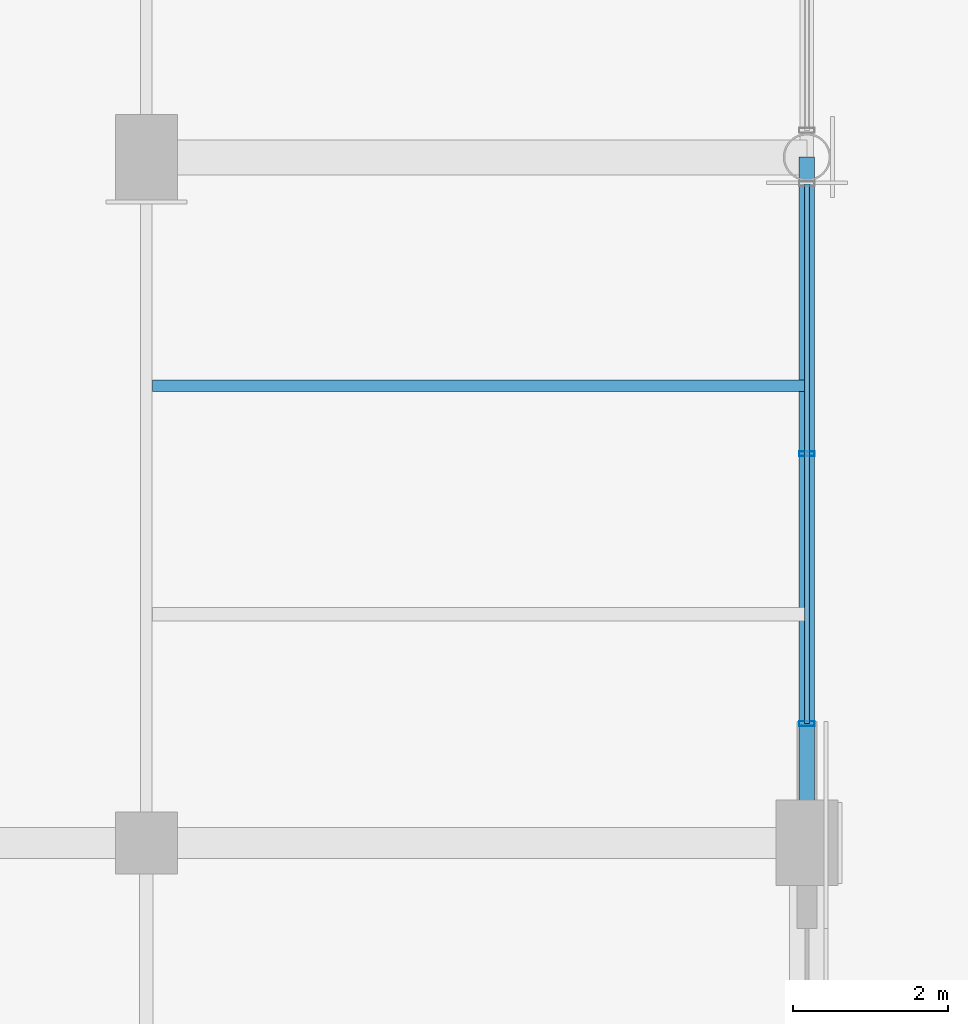
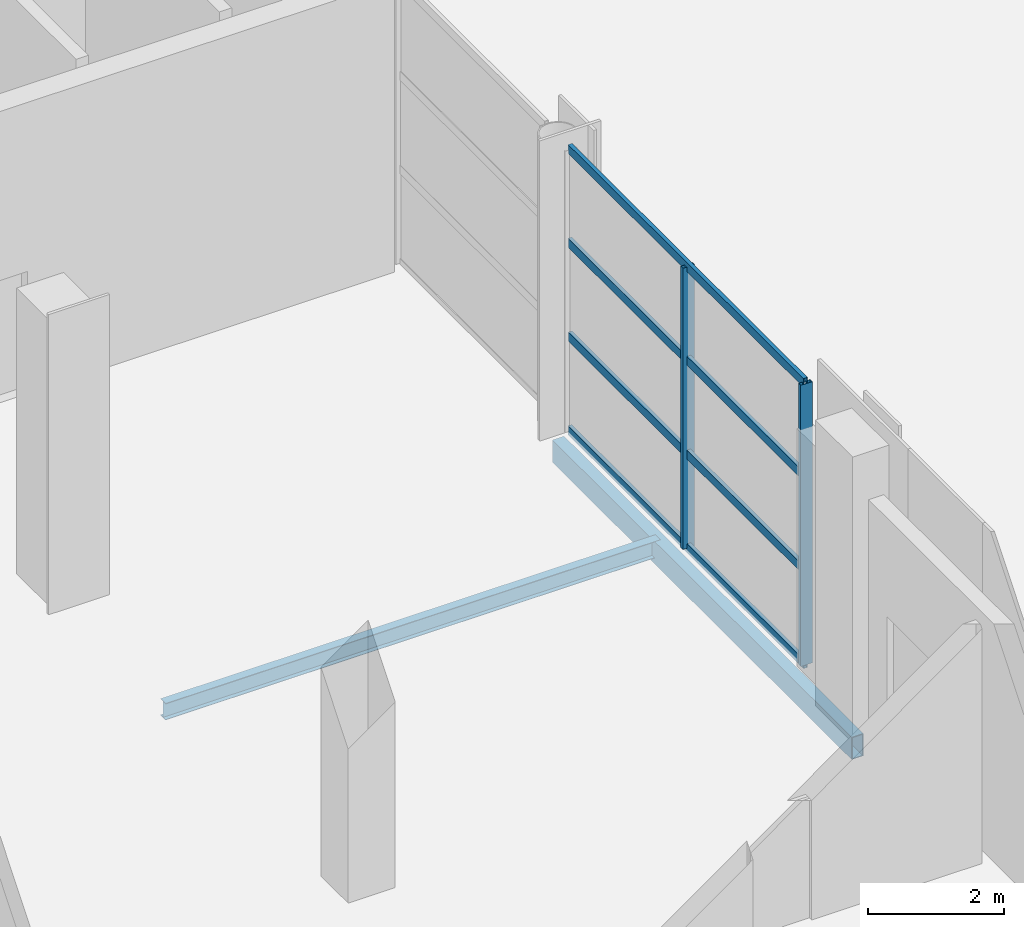
# One storey, part 16 of 90: 6 members, 2 beams, 1 element without a shape of its own.
"""IFC4 building model written with IfcOpenShell, lengths in metres."""

from ifc_helpers import new_model, si_unit, direction, frame, origin, origin_2d, place, context, subcontext, project, spatial, hollow_rectangle, i_section, extrude, material, material_profile, profile_set, type_object, element, aggregate, save


model = new_model("IFC4")

# Units and contexts
model_context = context("Model", 3, precision=1e-05, world=origin(), true_north=direction((0.0, 1.0)))
body_context = subcontext(model_context, "Body", "Model", "MODEL_VIEW")
ifc_project = project(units=[si_unit("LENGTHUNIT", "METRE"), si_unit("AREAUNIT", "SQUARE_METRE"), si_unit("VOLUMEUNIT", "CUBIC_METRE"), si_unit("PLANEANGLEUNIT", "RADIAN"), si_unit("MASSUNIT", "GRAM", prefix="KILO")], contexts=[model_context])

# Site, building, storey
site_placement = place(None, origin())
site = spatial("IfcSite", under=ifc_project, at=site_placement, CompositionType="ELEMENT")
building_placement = place(site_placement, origin())
building = spatial("IfcBuilding", under=site, at=building_placement, Name="Solvikara Media Centre", CompositionType="ELEMENT")
storey_placement = place(building_placement, origin())
storey = spatial("IfcBuildingStorey", under=building, at=storey_placement, Name="L00", CompositionType="ELEMENT", Elevation=0.0)

# Beams
ifc_material_1 = material(Name="Steel S355JR", Category="steel")
ifc_material_profile_1 = material_profile(ifc_material_1, hollow_rectangle(XDim=0.199951171875, YDim=0.39990234375, WallThickness=0.011962890625, at=origin_2d()), Name="RHS 400x200x12")
ifc_profile_set_1 = profile_set([ifc_material_profile_1], Name="Steel S355JR")
beam_type_1 = type_object("IfcBeamType", Name="BM-33", PredefinedType="SPANDREL", material=ifc_profile_set_1)
beam_1_placement = place(storey_placement, frame((76.5, 10.5, -0.5419921875), z_axis=(0.0, 1.0, 0.0), x_axis=(-1.0, 0.0, 0.0)))
element("IfcBeam", 1, at=beam_1_placement, inside=storey, type_object=beam_type_1, Name="B-L00-Y0177", PredefinedType="SPANDREL", context=body_context, shape_type="SweptSolid", body=[
    extrude(hollow_rectangle(XDim=0.199951171875, YDim=0.39990234375, WallThickness=0.011962890625, at=origin_2d()), origin(), (0.0, 0.0, 1.0), 8.823974609375),
])
ifc_material_profile_2 = material_profile(ifc_material_1, i_section(OverallWidth=0.14892578125, OverallDepth=0.298095703125, WebThickness=0.005615234375, FlangeThickness=0.008056640625, at=origin_2d()), Name="WF 298x149x5.5x8")
ifc_profile_set_2 = profile_set([ifc_material_profile_2], Name="Steel S355JR")
beam_type_2 = type_object("IfcBeamType", Name="BM-39", PredefinedType="JOIST", material=ifc_profile_set_2)
beam_2_placement = place(storey_placement, frame((68.077880859375, 16.383056640625, -0.490966796875), z_axis=(1.0, 0.0, 0.0), x_axis=(0.0, 1.0, 0.0)))
element("IfcBeam", 2, at=beam_2_placement, inside=storey, type_object=beam_type_2, Name="J-L00-0359", PredefinedType="JOIST", context=body_context, shape_type="SweptSolid", body=[
    extrude(i_section(OverallWidth=0.14892578125, OverallDepth=0.298095703125, WebThickness=0.005615234375, FlangeThickness=0.008056640625, at=origin_2d()), origin(), (0.0, 0.0, 1.0), 8.422119140625),
])

# Curtain wall, members
ifc_material_2 = material(Name="Anodised aluminium EN AW-6063", Category="aluminium")
curtain_wall_type = type_object("IfcCurtainWallType", Name="CW-14", PredefinedType="NOTDEFINED", material=ifc_material_2)
curtain_wall_placement = place(storey_placement, origin())
curtain_wall = element("IfcCurtainWall", 3, at=curtain_wall_placement, inside=storey, type_object=curtain_wall_type, Name="CW-L00-V6-ENE-S1", PredefinedType="NOTDEFINED")
ifc_material_profile_3 = material_profile(ifc_material_2, hollow_rectangle(XDim=0.06494140625, YDim=0.199951171875, WallThickness=0.00390625, at=origin_2d()), Name="ALU-M 65x200x4")
ifc_profile_set_3 = profile_set([ifc_material_profile_3], Name="Anodised aluminium EN AW-6063")
member_type_1 = type_object("IfcMemberType", Name="MF-02", PredefinedType="MULLION", material=ifc_profile_set_3)
member_1_placement = place(storey_placement, frame((76.5, 12.034912109375, 0.02001953125), z_axis=(0.0, 0.0, 1.0), x_axis=(0.0, 1.0, 0.0)))
member_1 = element("IfcMember", 4, at=member_1_placement, type_object=member_type_1, Name="CW-L00-V6-ENE-S1-M00", PredefinedType="MULLION", context=body_context, shape_type="SweptSolid", body=[
    extrude(hollow_rectangle(XDim=0.06494140625, YDim=0.199951171875, WallThickness=0.00390625, at=origin_2d()), origin(), (0.0, 0.0, 1.0), 5.06005859375),
])
member_2_placement = place(storey_placement, frame((76.5, 15.507080078125, 0.02001953125), z_axis=(0.0, 0.0, 1.0), x_axis=(0.0, 1.0, 0.0)))
member_2 = element("IfcMember", 5, at=member_2_placement, type_object=member_type_1, Name="CW-L00-V6-ENE-S1-M01", PredefinedType="MULLION", context=body_context, shape_type="SweptSolid", body=[
    extrude(hollow_rectangle(XDim=0.06494140625, YDim=0.199951171875, WallThickness=0.00390625, at=origin_2d()), origin(), (0.0, 0.0, 1.0), 5.06005859375),
])
ifc_material_profile_4 = material_profile(ifc_material_2, hollow_rectangle(XDim=0.06494140625, YDim=0.159912109375, WallThickness=0.00341796875, at=origin_2d()), Name="ALU-T 65x160x3.5")
ifc_profile_set_4 = profile_set([ifc_material_profile_4], Name="Anodised aluminium EN AW-6063")
member_type_2 = type_object("IfcMemberType", Name="MF-08", PredefinedType="USERDEFINED", material=ifc_profile_set_4)
member_3_placement = place(storey_placement, frame((76.5, 12.034912109375, 0.02001953125), z_axis=(0.0, 1.0, 0.0), x_axis=(-1.0, 0.0, 0.0)))
member_3 = element("IfcMember", 6, at=member_3_placement, type_object=member_type_2, Name="CW-L00-V6-ENE-S1-T00", ObjectType="TRANSOM", PredefinedType="USERDEFINED", context=body_context, shape_type="SweptSolid", body=[
    extrude(hollow_rectangle(XDim=0.06494140625, YDim=0.159912109375, WallThickness=0.00341796875, at=origin_2d()), origin(), (0.0, 0.0, 1.0), 6.944091796875),
])
member_4_placement = place(storey_placement, frame((76.5, 12.034912109375, 1.70703125), z_axis=(0.0, 1.0, 0.0), x_axis=(-1.0, 0.0, 0.0)))
member_4 = element("IfcMember", 7, at=member_4_placement, type_object=member_type_2, Name="CW-L00-V6-ENE-S1-T01", ObjectType="TRANSOM", PredefinedType="USERDEFINED", context=body_context, shape_type="SweptSolid", body=[
    extrude(hollow_rectangle(XDim=0.06494140625, YDim=0.159912109375, WallThickness=0.00341796875, at=origin_2d()), origin(), (0.0, 0.0, 1.0), 6.944091796875),
])
member_5_placement = place(storey_placement, frame((76.5, 12.034912109375, 3.39306640625), z_axis=(0.0, 1.0, 0.0), x_axis=(-1.0, 0.0, 0.0)))
member_5 = element("IfcMember", 8, at=member_5_placement, type_object=member_type_2, Name="CW-L00-V6-ENE-S1-T02", ObjectType="TRANSOM", PredefinedType="USERDEFINED", context=body_context, shape_type="SweptSolid", body=[
    extrude(hollow_rectangle(XDim=0.06494140625, YDim=0.159912109375, WallThickness=0.00341796875, at=origin_2d()), origin(), (0.0, 0.0, 1.0), 6.944091796875),
])
member_6_placement = place(storey_placement, frame((76.5, 12.034912109375, 5.080078125), z_axis=(0.0, 1.0, 0.0), x_axis=(-1.0, 0.0, 0.0)))
member_6 = element("IfcMember", 9, at=member_6_placement, type_object=member_type_2, Name="CW-L00-V6-ENE-S1-T03", ObjectType="TRANSOM", PredefinedType="USERDEFINED", context=body_context, shape_type="SweptSolid", body=[
    extrude(hollow_rectangle(XDim=0.06494140625, YDim=0.159912109375, WallThickness=0.00341796875, at=origin_2d()), origin(), (0.0, 0.0, 1.0), 6.944091796875),
])
aggregate(curtain_wall, [member_1, member_2, member_3, member_4, member_5, member_6])

save(model, "model.ifc")
